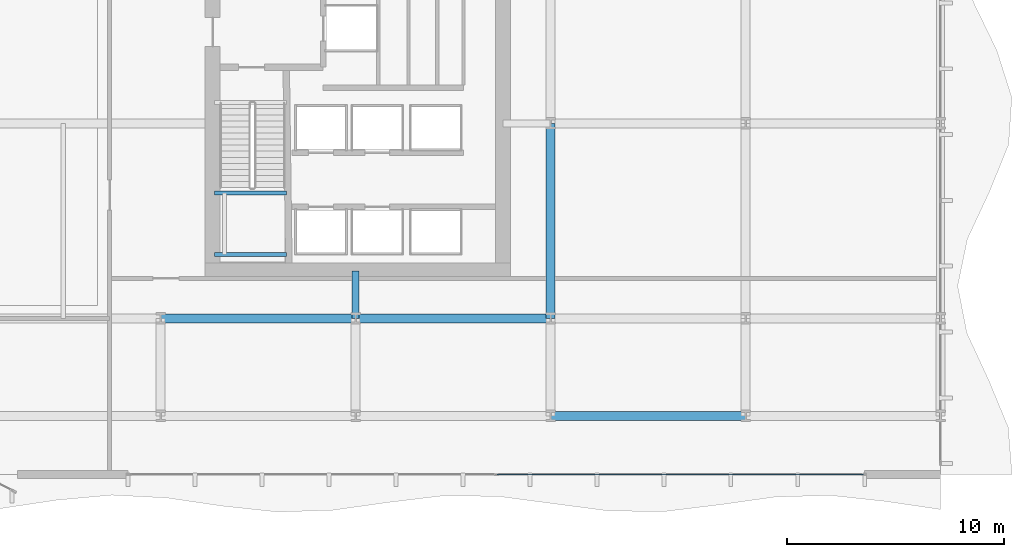
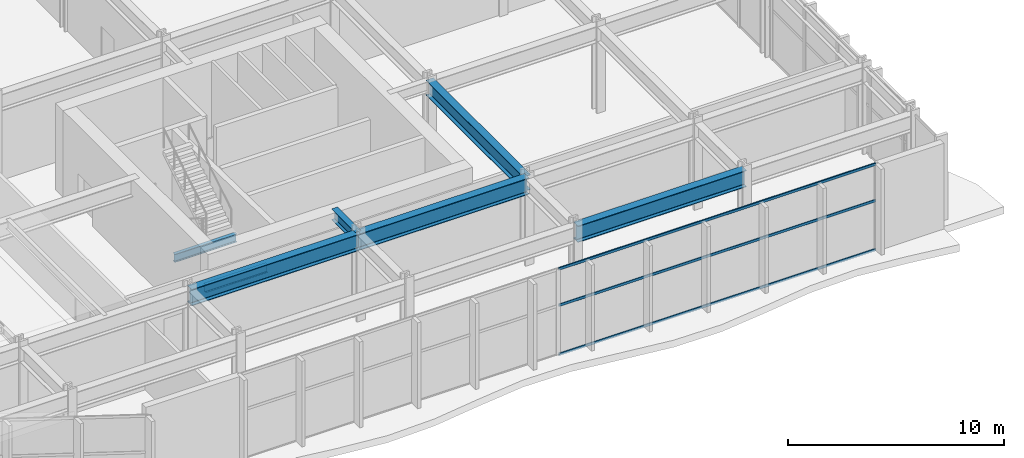
# One storey, part 9 of 33: 7 beams, 3 members, 1 element without a shape of its own.
"""IFC4 building model written with IfcOpenShell, lengths in metres."""

from ifc_helpers import new_model, si_unit, direction, frame, origin, origin_2d, place, context, subcontext, project, spatial, hollow_rectangle, i_section, extrude, material, layer, layer_set, material_profile, profile_set, type_object, element, aggregate, save


model = new_model("IFC4")

# Units and contexts
model_context = context("Model", 3, precision=1e-05, world=origin(), true_north=direction((0.0, 1.0)))
body_context = subcontext(model_context, "Body", "Model", "MODEL_VIEW")
ifc_project = project(units=[si_unit("LENGTHUNIT", "METRE"), si_unit("AREAUNIT", "SQUARE_METRE"), si_unit("VOLUMEUNIT", "CUBIC_METRE"), si_unit("PLANEANGLEUNIT", "RADIAN"), si_unit("MASSUNIT", "GRAM", prefix="KILO")], contexts=[model_context])

# Site, building, storey
site_placement = place(None, origin())
site = spatial("IfcSite", under=ifc_project, at=site_placement, CompositionType="ELEMENT")
building_placement = place(site_placement, origin())
building = spatial("IfcBuilding", under=site, at=building_placement, Name="Solvaryn Broadcast Tower", CompositionType="ELEMENT")
storey_placement = place(building_placement, frame((0.0, 0.0, 5.800048828125)))
storey = spatial("IfcBuildingStorey", under=building, at=storey_placement, Name="L01", CompositionType="ELEMENT", Elevation=5.800048828125)

# Beams
ifc_material_1 = material(Name="Steel ASTM A992 Grade 50", Category="steel")
ifc_material_profile_1 = material_profile(ifc_material_1, i_section(OverallWidth=0.323974609375, OverallDepth=0.611083984375, WebThickness=0.0126953125, FlangeThickness=0.01904296875, FilletRadius=0.014892578125, at=origin_2d()))
ifc_profile_set_1 = profile_set([ifc_material_profile_1], Name="Steel ASTM A992 Grade 50")
beam_type_1 = type_object("IfcBeamType", Name="BM-B1-W24X104", PredefinedType="BEAM", material=ifc_profile_set_1)
beam_1_placement = place(storey_placement, frame((36.0, 9.0, 4.574462890625), z_axis=(0.0, 1.0, 0.0), x_axis=(-1.0, 0.0, 0.0)))
element("IfcBeam", 1, at=beam_1_placement, inside=storey, type_object=beam_type_1, Name="L01 Core Tie Beam CTE1", PredefinedType="BEAM", context=body_context, shape_type="SweptSolid", body=[
    extrude(i_section(OverallWidth=0.323974609375, OverallDepth=0.611083984375, WebThickness=0.0126953125, FlangeThickness=0.01904296875, FilletRadius=0.014892578125, at=origin_2d()), origin(), (0.0, 0.0, 1.0), 2.199951171875),
])
ifc_material_2 = material(Name="Steel ASTM A992 Grade 50", Category="steel")
ifc_material_profile_2 = material_profile(ifc_material_2, i_section(OverallWidth=0.18994140625, OverallDepth=0.45703125, WebThickness=0.009033203125, FlangeThickness=0.014404296875, FilletRadius=0.011962890625, at=origin_2d()))
ifc_profile_set_2 = profile_set([ifc_material_profile_2], Name="Steel ASTM A992 Grade 50")
beam_type_2 = type_object("IfcBeamType", Name="BM-B4-W18X50", PredefinedType="BEAM", material=ifc_profile_set_2)
for number, where, z_axis, x_axis, name in (
    (2, (29.5, 11.949951171875, 2.17138671875), (1.0, 0.0, 0.0), (0.0, 1.0, 0.0), "L01 ST3 Landing Support Beam 1A"),
    (3, (29.5, 14.7900390625, 2.17138671875), (1.0, 0.0, 0.0), (0.0, 1.0, 0.0), "L01 ST3 Landing Support Beam 1B"),
):
    element("IfcBeam", number, at=place(storey_placement, frame(where, z_axis=z_axis, x_axis=x_axis)), inside=storey, type_object=beam_type_2, Name=name, PredefinedType="BEAM", context=body_context, shape_type="SweptSolid", body=[
        extrude(i_section(OverallWidth=0.18994140625, OverallDepth=0.45703125, WebThickness=0.009033203125, FlangeThickness=0.014404296875, FilletRadius=0.011962890625, at=origin_2d()), origin(), (0.0, 0.0, 1.0), 3.320068359375),
    ])
ifc_material_3 = material(Name="Steel ASTM A992 Grade 50", Category="steel")
ifc_material_profile_3 = material_profile(ifc_material_3, i_section(OverallWidth=0.41796875, OverallDepth=0.927001953125, WebThickness=0.019287109375, FlangeThickness=0.031982421875, FilletRadius=0.02392578125, at=origin_2d()))
ifc_profile_set_3 = profile_set([ifc_material_profile_3], Name="Steel ASTM A992 Grade 50")
beam_type_3 = type_object("IfcBeamType", Name="BM-G2-W36X231", PredefinedType="BEAM", material=ifc_profile_set_3)
for number, where, z_axis, x_axis, name in (
    (4, (45.0, 4.5, 4.41650390625), (1.0, 0.0, 0.0), (0.0, 1.0, 0.0), "L01 Primary Beam X (45-54 @ Y=4)"),
    (5, (27.0, 9.0, 4.41650390625), (1.0, 0.0, 0.0), (0.0, 1.0, 0.0), "L01 Primary Beam X (27-36 @ Y=9)"),
    (6, (36.0, 9.0, 4.41650390625), (1.0, 0.0, 0.0), (0.0, 1.0, 0.0), "L01 Primary Beam X (36-45 @ Y=9)"),
):
    element("IfcBeam", number, at=place(storey_placement, frame(where, z_axis=z_axis, x_axis=x_axis)), inside=storey, type_object=beam_type_3, Name=name, PredefinedType="BEAM", context=body_context, shape_type="SweptSolid", body=[
        extrude(i_section(OverallWidth=0.41796875, OverallDepth=0.927001953125, WebThickness=0.019287109375, FlangeThickness=0.031982421875, FilletRadius=0.02392578125, at=origin_2d()), origin(), (0.0, 0.0, 1.0), 9.0),
    ])
ifc_material_4 = material(Name="Steel ASTM A992 Grade 50", Category="steel")
ifc_material_profile_4 = material_profile(ifc_material_4, i_section(OverallWidth=0.39990234375, OverallDepth=0.85498046875, WebThickness=0.018310546875, FlangeThickness=0.029296875, FilletRadius=0.02001953125, at=origin_2d()))
ifc_profile_set_4 = profile_set([ifc_material_profile_4], Name="Steel ASTM A992 Grade 50")
beam_type_4 = type_object("IfcBeamType", Name="BM-G3-W33X201", PredefinedType="BEAM", material=ifc_profile_set_4)
beam_2_placement = place(storey_placement, frame((45.0, 9.0, 4.452392578125), z_axis=(0.0, 1.0, 0.0), x_axis=(-1.0, 0.0, 0.0)))
element("IfcBeam", 7, at=beam_2_placement, inside=storey, type_object=beam_type_4, Name="L01 Primary Beam Y (9-18 @ X=45)", PredefinedType="BEAM", context=body_context, shape_type="SweptSolid", body=[
    extrude(i_section(OverallWidth=0.39990234375, OverallDepth=0.85498046875, WebThickness=0.018310546875, FlangeThickness=0.029296875, FilletRadius=0.02001953125, at=origin_2d()), origin(), (0.0, 0.0, 1.0), 9.0),
])

# Curtain wall, members
ifc_material_5 = material(Name="Aluminium and Terracotta Unitised Curtain Wall", Category="masonry")
ifc_layer = layer(ifc_material_5, 0.219970703125)
ifc_layer_set = layer_set([ifc_layer], Name="CW-SYS1-PODIUM")
curtain_wall_type = type_object("IfcCurtainWallType", Name="CW-SYS1-PODIUM", PredefinedType="NOTDEFINED", material=ifc_layer_set)
curtain_wall_placement = place(storey_placement, origin())
curtain_wall = element("IfcCurtainWall", 8, at=curtain_wall_placement, inside=storey, type_object=curtain_wall_type, Name="L01 Podium Curtain Wall S1", PredefinedType="NOTDEFINED")
ifc_material_6 = material(Name="Anodised Aluminium 6063-T6", Category="aluminium")
ifc_material_profile_5 = material_profile(ifc_material_6, hollow_rectangle(XDim=0.06494140625, YDim=0.14990234375, WallThickness=0.00390625, InnerFilletRadius=0.00390625, OuterFilletRadius=0.008056640625, at=origin_2d()))
ifc_profile_set_5 = profile_set([ifc_material_profile_5], Name="Anodised Aluminium 6063-T6")
member_type = type_object("IfcMemberType", Name="CW-TRN-150", PredefinedType="USERDEFINED", material=ifc_profile_set_5)
member_1_placement = place(storey_placement, frame((59.43994140625, 1.800048828125, 0.030029296875), z_axis=(-1.0, 0.0, 0.0), x_axis=(0.0, -1.0, 0.0)))
member_1 = element("IfcMember", 9, at=member_1_placement, type_object=member_type, Name="CWS1 transom 1.1", ObjectType="TRANSOM", PredefinedType="USERDEFINED", context=body_context, shape_type="SweptSolid", body=[
    extrude(hollow_rectangle(XDim=0.06494140625, YDim=0.14990234375, WallThickness=0.00390625, InnerFilletRadius=0.00390625, OuterFilletRadius=0.008056640625, at=origin_2d()), origin(), (0.0, 0.0, 1.0), 16.909912109375),
])
member_2_placement = place(storey_placement, frame((59.43994140625, 1.800048828125, 2.800048828125), z_axis=(-1.0, 0.0, 0.0), x_axis=(0.0, -1.0, 0.0)))
member_2 = element("IfcMember", 10, at=member_2_placement, type_object=member_type, Name="CWS1 transom 1.2", ObjectType="TRANSOM", PredefinedType="USERDEFINED", context=body_context, shape_type="SweptSolid", body=[
    extrude(hollow_rectangle(XDim=0.06494140625, YDim=0.14990234375, WallThickness=0.00390625, InnerFilletRadius=0.00390625, OuterFilletRadius=0.008056640625, at=origin_2d()), origin(), (0.0, 0.0, 1.0), 16.909912109375),
])
member_3_placement = place(storey_placement, frame((59.43994140625, 1.800048828125, 4.849853515625), z_axis=(-1.0, 0.0, 0.0), x_axis=(0.0, -1.0, 0.0)))
member_3 = element("IfcMember", 11, at=member_3_placement, type_object=member_type, Name="CWS1 transom 1.3", ObjectType="TRANSOM", PredefinedType="USERDEFINED", context=body_context, shape_type="SweptSolid", body=[
    extrude(hollow_rectangle(XDim=0.06494140625, YDim=0.14990234375, WallThickness=0.00390625, InnerFilletRadius=0.00390625, OuterFilletRadius=0.008056640625, at=origin_2d()), origin(), (0.0, 0.0, 1.0), 16.909912109375),
])
aggregate(curtain_wall, [member_1, member_2, member_3])

save(model, "model.ifc")
